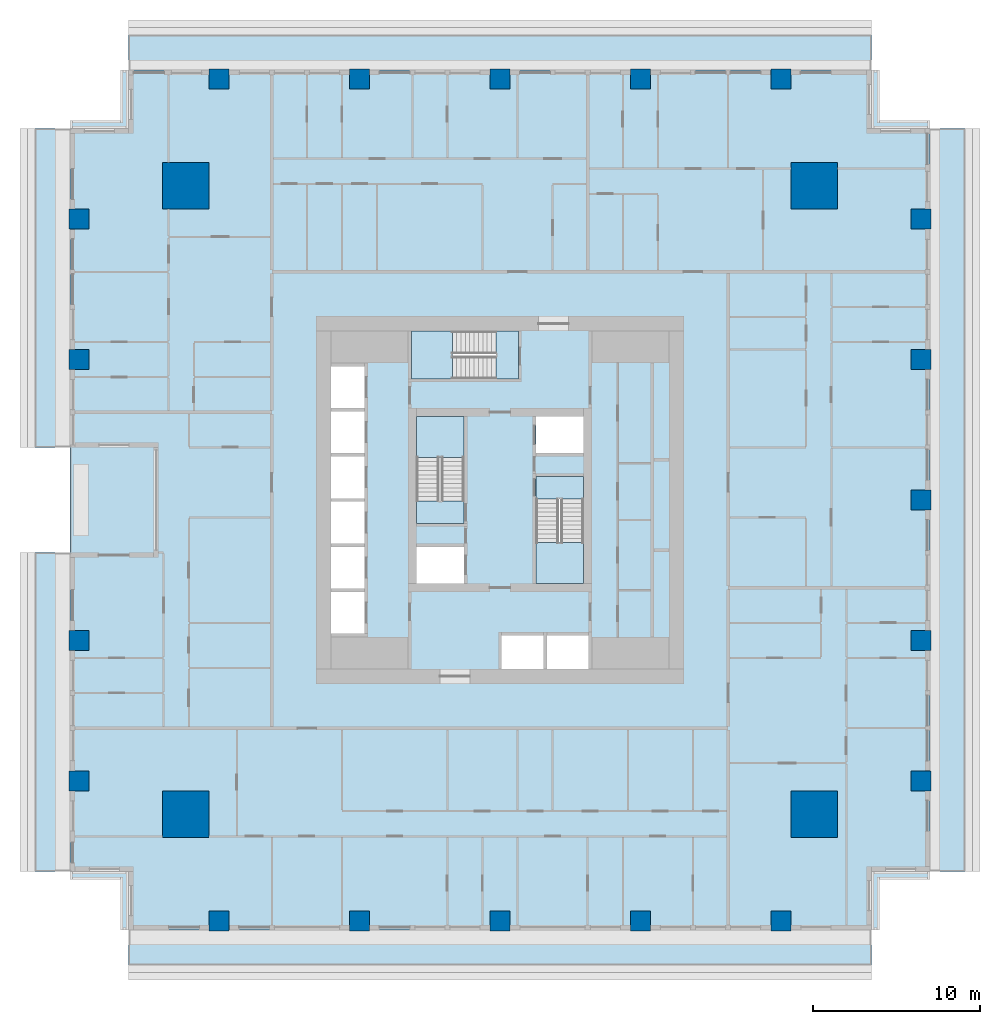
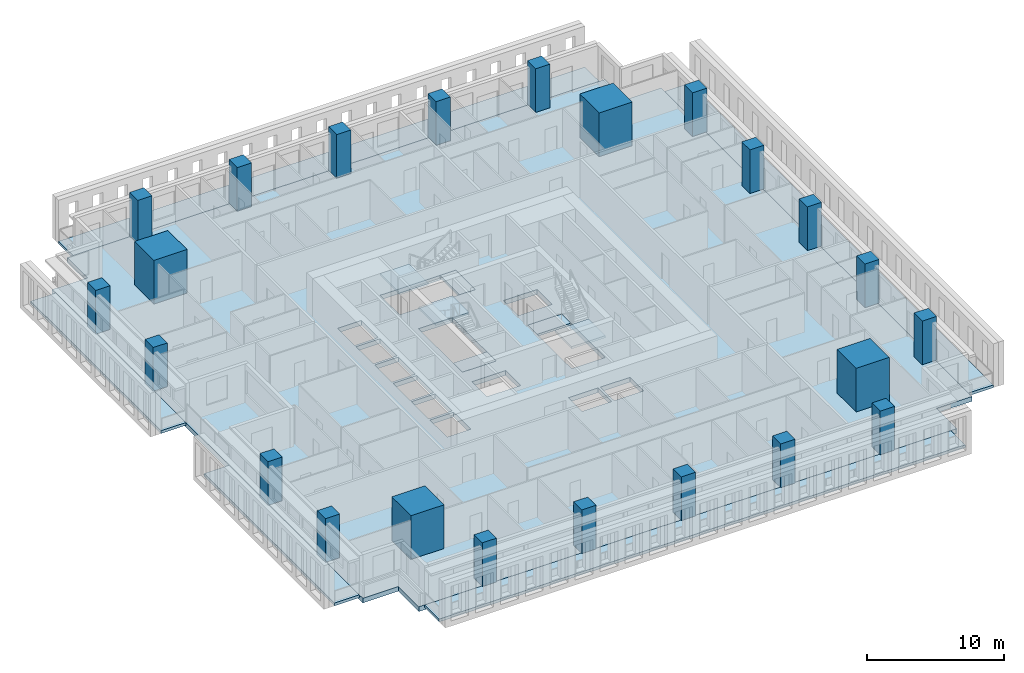
# One storey, part 1 of 16: 23 columns, 12 slabs, 3 elements without a shape of their own.
"""IFC4 building model written with IfcOpenShell, lengths in metres."""

from ifc_helpers import new_model, si_unit, direction, frame, origin, origin_2d, place, context, subcontext, project, spatial, polyline, rectangle, outline, extrude, material, layer, layer_set, material_profile, profile_set, type_object, element, aggregate, save


model = new_model("IFC4")

# Units and contexts
model_context = context("Model", 3, precision=1e-05, world=origin(), true_north=direction((0.0, 1.0)))
body_context = subcontext(model_context, "Body", "Model", "MODEL_VIEW")
ifc_project = project(units=[si_unit("LENGTHUNIT", "METRE"), si_unit("AREAUNIT", "SQUARE_METRE"), si_unit("VOLUMEUNIT", "CUBIC_METRE"), si_unit("PLANEANGLEUNIT", "RADIAN"), si_unit("MASSUNIT", "GRAM", prefix="KILO")], contexts=[model_context])

# Site, building, storey
site_placement = place(None, origin())
site = spatial("IfcSite", under=ifc_project, at=site_placement, CompositionType="ELEMENT")
building_placement = place(site_placement, origin())
building = spatial("IfcBuilding", under=site, at=building_placement, Name="Khepri Terraces", CompositionType="ELEMENT")
storey_placement = place(building_placement, frame((0.0, 0.0, 79.199951171875)))
storey = spatial("IfcBuildingStorey", under=building, at=storey_placement, Name="L18", CompositionType="ELEMENT", Elevation=79.199951171875)

# Columns
ifc_material_1 = material(Name="Concrete C70/85", Category="concrete")
ifc_material_profile_1 = material_profile(ifc_material_1, rectangle(XDim=2.800048828125, YDim=2.800048828125, at=origin_2d()), Name="Concrete C70/85", Category="concrete")
ifc_profile_set_1 = profile_set([ifc_material_profile_1], Name="Concrete C70/85")
column_type_1 = type_object("IfcColumnType", Name="Mega column RC 2800x2800 C70/85", PredefinedType="COLUMN", material=ifc_profile_set_1)
for number, where, z_axis, x_axis, name in (
    (1, (18.800048828125, 18.800048828125, 0.0), (0.0, 0.0, 1.0), (1.0, 0.0, 0.0), "Mega column MEN L18"),
    (2, (18.800048828125, -18.800048828125, 0.0), (0.0, 0.0, 1.0), (1.0, 0.0, 0.0), "Mega column MES L18"),
    (3, (-18.800048828125, 18.800048828125, 0.0), (0.0, 0.0, 1.0), (1.0, 0.0, 0.0), "Mega column MWN L18"),
    (4, (-18.800048828125, -18.800048828125, 0.0), (0.0, 0.0, 1.0), (1.0, 0.0, 0.0), "Mega column MWS L18"),
):
    element("IfcColumn", number, at=place(storey_placement, frame(where, z_axis=z_axis, x_axis=x_axis)), inside=storey, type_object=column_type_1, Name=name, PredefinedType="COLUMN", context=body_context, shape_type="SweptSolid", body=[
        extrude(rectangle(XDim=2.800048828125, YDim=2.800048828125, at=origin_2d()), origin(), (0.0, 0.0, 1.0), 3.900146484375),
    ])
ifc_material_profile_2 = material_profile(ifc_material_1, rectangle(XDim=1.199951171875, YDim=1.199951171875, at=origin_2d()), Name="Concrete C70/85", Category="concrete")
ifc_profile_set_2 = profile_set([ifc_material_profile_2], Name="Concrete C70/85")
column_type_2 = type_object("IfcColumnType", Name="Tower column RC 1200x1200 C70/85", PredefinedType="COLUMN", material=ifc_profile_set_2)
for number, where, z_axis, x_axis, name in (
    (5, (25.199951171875, 0.0, 0.0), (0.0, 0.0, 1.0), (1.0, 0.0, 0.0), "Perimeter column PE+000a L18"),
    (6, (25.199951171875, 8.39990234375, 0.0), (0.0, 0.0, 1.0), (1.0, 0.0, 0.0), "Perimeter column PE+084a L18"),
    (7, (25.199951171875, 16.800048828125, 0.0), (0.0, 0.0, 1.0), (1.0, 0.0, 0.0), "Perimeter column PE+168a L18"),
    (8, (25.199951171875, -8.39990234375, 0.0), (0.0, 0.0, 1.0), (1.0, 0.0, 0.0), "Perimeter column PE-084a L18"),
    (9, (25.199951171875, -16.800048828125, 0.0), (0.0, 0.0, 1.0), (1.0, 0.0, 0.0), "Perimeter column PE-168a L18"),
    (10, (0.0, 25.199951171875, 0.0), (0.0, 0.0, 1.0), (1.0, 0.0, 0.0), "Perimeter column PN+000a L18"),
    (11, (-8.39990234375, 25.199951171875, 0.0), (0.0, 0.0, 1.0), (1.0, 0.0, 0.0), "Perimeter column PN+084a L18"),
    (12, (-16.800048828125, 25.199951171875, 0.0), (0.0, 0.0, 1.0), (1.0, 0.0, 0.0), "Perimeter column PN+168a L18"),
    (13, (8.39990234375, 25.199951171875, 0.0), (0.0, 0.0, 1.0), (1.0, 0.0, 0.0), "Perimeter column PN-084a L18"),
    (14, (16.800048828125, 25.199951171875, 0.0), (0.0, 0.0, 1.0), (1.0, 0.0, 0.0), "Perimeter column PN-168a L18"),
):
    element("IfcColumn", number, at=place(storey_placement, frame(where, z_axis=z_axis, x_axis=x_axis)), inside=storey, type_object=column_type_2, Name=name, PredefinedType="COLUMN", context=body_context, shape_type="SweptSolid", body=[
        extrude(rectangle(XDim=1.199951171875, YDim=1.199951171875, at=origin_2d()), origin(), (0.0, 0.0, 1.0), 3.900146484375),
    ])
for number, where, z_axis, x_axis, name in (
    (15, (0.0, -25.199951171875, -0.419921875), (0.0, 0.0, 1.0), (1.0, 0.0, 0.0), "Perimeter column PS+000b L18"),
    (16, (8.39990234375, -25.199951171875, -0.419921875), (0.0, 0.0, 1.0), (1.0, 0.0, 0.0), "Perimeter column PS+084b L18"),
):
    element("IfcColumn", number, at=place(storey_placement, frame(where, z_axis=z_axis, x_axis=x_axis)), inside=storey, type_object=column_type_2, Name=name, PredefinedType="COLUMN", context=body_context, shape_type="SweptSolid", body=[
        extrude(rectangle(XDim=1.199951171875, YDim=1.199951171875, at=origin_2d()), origin(), (0.0, 0.0, 1.0), 4.320068359375),
    ])
column_1_placement = place(storey_placement, frame((16.800048828125, -25.199951171875, 0.0), z_axis=(0.0, 0.0, 1.0), x_axis=(1.0, 0.0, 0.0)))
element("IfcColumn", 17, at=column_1_placement, inside=storey, type_object=column_type_2, Name="Perimeter column PS+168a L18", PredefinedType="COLUMN", context=body_context, shape_type="SweptSolid", body=[
    extrude(rectangle(XDim=1.199951171875, YDim=1.199951171875, at=origin_2d()), origin(), (0.0, 0.0, 1.0), 3.900146484375),
])
column_2_placement = place(storey_placement, frame((-8.39990234375, -25.199951171875, -0.419921875), z_axis=(0.0, 0.0, 1.0), x_axis=(1.0, 0.0, 0.0)))
element("IfcColumn", 18, at=column_2_placement, inside=storey, type_object=column_type_2, Name="Perimeter column PS-084b L18", PredefinedType="COLUMN", context=body_context, shape_type="SweptSolid", body=[
    extrude(rectangle(XDim=1.199951171875, YDim=1.199951171875, at=origin_2d()), origin(), (0.0, 0.0, 1.0), 4.320068359375),
])
for number, where, z_axis, x_axis, name in (
    (19, (-16.800048828125, -25.199951171875, 0.0), (0.0, 0.0, 1.0), (1.0, 0.0, 0.0), "Perimeter column PS-168a L18"),
    (20, (-25.199951171875, -8.39990234375, 0.0), (0.0, 0.0, 1.0), (1.0, 0.0, 0.0), "Perimeter column PW+084a L18"),
    (21, (-25.199951171875, -16.800048828125, 0.0), (0.0, 0.0, 1.0), (1.0, 0.0, 0.0), "Perimeter column PW+168a L18"),
    (22, (-25.199951171875, 8.39990234375, 0.0), (0.0, 0.0, 1.0), (1.0, 0.0, 0.0), "Perimeter column PW-084a L18"),
    (23, (-25.199951171875, 16.800048828125, 0.0), (0.0, 0.0, 1.0), (1.0, 0.0, 0.0), "Perimeter column PW-168a L18"),
):
    element("IfcColumn", number, at=place(storey_placement, frame(where, z_axis=z_axis, x_axis=x_axis)), inside=storey, type_object=column_type_2, Name=name, PredefinedType="COLUMN", context=body_context, shape_type="SweptSolid", body=[
        extrude(rectangle(XDim=1.199951171875, YDim=1.199951171875, at=origin_2d()), origin(), (0.0, 0.0, 1.0), 3.900146484375),
    ])

# Slabs
ifc_material_2 = material(Name="Concrete C40/50", Category="concrete")
ifc_layer_1 = layer(ifc_material_2, 0.419921875, Name="Concrete C40/50", Category="concrete")
ifc_layer_set_1 = layer_set([ifc_layer_1], Name="Concrete C40/50")
slab_type_1 = type_object("IfcSlabType", Name="Flat plate 420", PredefinedType="FLOOR", material=ifc_layer_set_1)
slab_1_placement = place(storey_placement, frame((0.0, 0.0, -0.419921875)))
element("IfcSlab", 24, at=slab_1_placement, inside=storey, type_object=slab_type_1, Name="Floor slab F01 L18", PredefinedType="FLOOR", context=body_context, shape_type="SweptSolid", body=[
    extrude(outline(polyline([(25.719970703125, -22.219970703125), (25.719970703125, -22.719970703125), (22.719970703125, -22.719970703125), (22.719970703125, -25.719970703125), (22.219970703125, -25.719970703125), (-22.219970703125, -25.719970703125), (-22.719970703125, -25.719970703125), (-22.719970703125, -22.719970703125), (-25.719970703125, -22.719970703125), (-25.719970703125, -22.219970703125), (-25.719970703125, -3.14990234375), (-25.719970703125, 3.14990234375), (-25.719970703125, 22.219970703125), (-25.719970703125, 22.719970703125), (-22.719970703125, 22.719970703125), (-22.719970703125, 25.719970703125), (-22.219970703125, 25.719970703125), (22.219970703125, 25.719970703125), (22.719970703125, 25.719970703125), (22.719970703125, 22.719970703125), (25.719970703125, 22.719970703125), (25.719970703125, 22.219970703125), (25.719970703125, -22.219970703125)]), holes=[polyline([(5.0, 5.0), (2.14990234375, 5.0), (2.14990234375, 2.800048828125), (5.0, 2.800048828125), (5.0, 5.0)]), polyline([(-2.14990234375, -5.0), (-2.14990234375, -2.800048828125), (-5.0, -2.800048828125), (-5.0, -5.0), (-2.14990234375, -5.0)]), polyline([(-10.10009765625, -8.0), (-8.10009765625, -8.0), (-8.10009765625, -5.5), (-10.10009765625, -5.5), (-10.10009765625, -8.0)]), polyline([(-10.10009765625, -2.800048828125), (-10.10009765625, -5.300048828125), (-8.10009765625, -5.300048828125), (-8.10009765625, -2.800048828125), (-10.10009765625, -2.800048828125)]), polyline([(-8.10009765625, -0.10009765625), (-10.10009765625, -0.10009765625), (-10.10009765625, -2.60009765625), (-8.10009765625, -2.60009765625), (-8.10009765625, -0.10009765625)]), polyline([(-8.10009765625, 0.10009765625), (-8.10009765625, 2.60009765625), (-10.10009765625, 2.60009765625), (-10.10009765625, 0.10009765625), (-8.10009765625, 0.10009765625)]), polyline([(-10.10009765625, 2.800048828125), (-8.10009765625, 2.800048828125), (-8.10009765625, 5.300048828125), (-10.10009765625, 5.300048828125), (-10.10009765625, 2.800048828125)]), polyline([(-10.10009765625, 8.0), (-10.10009765625, 5.5), (-8.10009765625, 5.5), (-8.10009765625, 8.0), (-10.10009765625, 8.0)]), polyline([(2.60009765625, -8.10009765625), (0.10009765625, -8.10009765625), (0.10009765625, -10.10009765625), (2.60009765625, -10.10009765625), (2.60009765625, -8.10009765625)]), polyline([(5.300048828125, -10.10009765625), (5.300048828125, -8.10009765625), (2.800048828125, -8.10009765625), (2.800048828125, -10.10009765625), (5.300048828125, -10.10009765625)]), polyline([(-5.0, -1.39990234375), (-2.14990234375, -1.39990234375), (-2.14990234375, 5.0), (-5.0, 5.0), (-5.0, -1.39990234375)]), polyline([(5.0, -5.0), (5.0, 1.39990234375), (2.14990234375, 1.39990234375), (2.14990234375, -5.0), (5.0, -5.0)]), polyline([(-5.300048828125, 10.10009765625), (-5.300048828125, 7.25), (1.10009765625, 7.25), (1.10009765625, 10.10009765625), (-5.300048828125, 10.10009765625)])]), origin(), (0.0, 0.0, 1.0), 0.419921875),
])
ifc_material_3 = material(Name="Precast concrete C50/60 warm stone", Category="masonry")
ifc_layer_2 = layer(ifc_material_3, 0.25, Name="Precast concrete C50/60 warm stone", Category="masonry")
ifc_layer_set_2 = layer_set([ifc_layer_2], Name="Precast concrete C50/60 warm stone")
slab_type_2 = type_object("IfcSlabType", Name="SLB-BALCONY-250", PredefinedType="FLOOR", material=ifc_layer_set_2)
slab_2_placement = place(storey_placement, frame((0.0, 0.0, -0.25)))
element("IfcSlab", 25, at=slab_2_placement, inside=storey, type_object=slab_type_2, Name="Balcony slab L18 S", PredefinedType="FLOOR", context=body_context, shape_type="SweptSolid", body=[
    extrude(outline(polyline([(-17.39990234375, -25.719970703125), (-22.219970703125, -25.719970703125), (-22.219970703125, -27.820068359375), (22.219970703125, -27.820068359375), (22.219970703125, -25.719970703125), (17.39990234375, -25.719970703125), (17.39990234375, -25.800048828125), (16.199951171875, -25.800048828125), (16.199951171875, -25.719970703125), (9.0, -25.719970703125), (9.0, -25.800048828125), (7.800048828125, -25.800048828125), (7.800048828125, -25.719970703125), (0.60009765625, -25.719970703125), (0.60009765625, -25.800048828125), (-0.60009765625, -25.800048828125), (-0.60009765625, -25.719970703125), (-7.800048828125, -25.719970703125), (-7.800048828125, -25.800048828125), (-9.0, -25.800048828125), (-9.0, -25.719970703125), (-16.199951171875, -25.719970703125), (-16.199951171875, -25.800048828125), (-17.39990234375, -25.800048828125), (-17.39990234375, -25.719970703125)])), origin(), (0.0, 0.0, 1.0), 0.25),
])
slab_3_placement = place(storey_placement, frame((0.0, 0.0, -0.25)))
element("IfcSlab", 26, at=slab_3_placement, inside=storey, type_object=slab_type_2, Name="Balcony slab L18 E", PredefinedType="FLOOR", context=body_context, shape_type="SweptSolid", body=[
    extrude(outline(polyline([(25.719970703125, -17.39990234375), (25.719970703125, -22.219970703125), (27.820068359375, -22.219970703125), (27.820068359375, 22.219970703125), (25.719970703125, 22.219970703125), (25.719970703125, 17.39990234375), (25.800048828125, 17.39990234375), (25.800048828125, 16.199951171875), (25.719970703125, 16.199951171875), (25.719970703125, 9.0), (25.800048828125, 9.0), (25.800048828125, 7.800048828125), (25.719970703125, 7.800048828125), (25.719970703125, 0.60009765625), (25.800048828125, 0.60009765625), (25.800048828125, -0.60009765625), (25.719970703125, -0.60009765625), (25.719970703125, -7.800048828125), (25.800048828125, -7.800048828125), (25.800048828125, -9.0), (25.719970703125, -9.0), (25.719970703125, -16.199951171875), (25.800048828125, -16.199951171875), (25.800048828125, -17.39990234375), (25.719970703125, -17.39990234375)])), origin(), (0.0, 0.0, 1.0), 0.25),
])
slab_4_placement = place(storey_placement, frame((0.0, 0.0, -0.25)))
element("IfcSlab", 27, at=slab_4_placement, inside=storey, type_object=slab_type_2, Name="Balcony slab L18 N", PredefinedType="FLOOR", context=body_context, shape_type="SweptSolid", body=[
    extrude(outline(polyline([(17.39990234375, 25.719970703125), (22.219970703125, 25.719970703125), (22.219970703125, 27.820068359375), (-22.219970703125, 27.820068359375), (-22.219970703125, 25.719970703125), (-17.39990234375, 25.719970703125), (-17.39990234375, 25.800048828125), (-16.199951171875, 25.800048828125), (-16.199951171875, 25.719970703125), (-9.0, 25.719970703125), (-9.0, 25.800048828125), (-7.800048828125, 25.800048828125), (-7.800048828125, 25.719970703125), (-0.60009765625, 25.719970703125), (-0.60009765625, 25.800048828125), (0.60009765625, 25.800048828125), (0.60009765625, 25.719970703125), (7.800048828125, 25.719970703125), (7.800048828125, 25.800048828125), (9.0, 25.800048828125), (9.0, 25.719970703125), (16.199951171875, 25.719970703125), (16.199951171875, 25.800048828125), (17.39990234375, 25.800048828125), (17.39990234375, 25.719970703125)])), origin(), (0.0, 0.0, 1.0), 0.25),
])
slab_5_placement = place(storey_placement, frame((0.0, 0.0, -0.25)))
element("IfcSlab", 28, at=slab_5_placement, inside=storey, type_object=slab_type_2, Name="Balcony slab L18 W", PredefinedType="FLOOR", context=body_context, shape_type="SweptSolid", body=[
    extrude(outline(polyline([(-25.719970703125, 17.39990234375), (-25.719970703125, 22.219970703125), (-27.820068359375, 22.219970703125), (-27.820068359375, 3.14990234375), (-25.719970703125, 3.14990234375), (-25.719970703125, 7.800048828125), (-25.800048828125, 7.800048828125), (-25.800048828125, 9.0), (-25.719970703125, 9.0), (-25.719970703125, 16.199951171875), (-25.800048828125, 16.199951171875), (-25.800048828125, 17.39990234375), (-25.719970703125, 17.39990234375)])), origin(), (0.0, 0.0, 1.0), 0.25),
])
slab_6_placement = place(storey_placement, frame((0.0, 0.0, -0.25)))
element("IfcSlab", 29, at=slab_6_placement, inside=storey, type_object=slab_type_2, Name="Balcony slab L18 W", PredefinedType="FLOOR", context=body_context, shape_type="SweptSolid", body=[
    extrude(outline(polyline([(-25.719970703125, -7.800048828125), (-25.719970703125, -3.14990234375), (-27.820068359375, -3.14990234375), (-27.820068359375, -22.219970703125), (-25.719970703125, -22.219970703125), (-25.719970703125, -17.39990234375), (-25.800048828125, -17.39990234375), (-25.800048828125, -16.199951171875), (-25.719970703125, -16.199951171875), (-25.719970703125, -9.0), (-25.800048828125, -9.0), (-25.800048828125, -7.800048828125), (-25.719970703125, -7.800048828125)])), origin(), (0.0, 0.0, 1.0), 0.25),
])

# Stair, slabs
stair_type = type_object("IfcStairType", Name="STAIR-RC-22R", PredefinedType="HALF_TURN_STAIR", material=ifc_material_2)
stair_1_placement = place(storey_placement, origin())
stair_1 = element("IfcStair", 30, at=stair_1_placement, inside=storey, type_object=stair_type, Name="L18 Exit Stair ST-1", PredefinedType="HALF_TURN_STAIR")
ifc_layer_3 = layer(ifc_material_2, 0.199951171875, Name="Concrete C40/50", Category="concrete")
ifc_layer_set_3 = layer_set([ifc_layer_3], Name="Concrete C40/50")
slab_type_3 = type_object("IfcSlabType", Name="SLB-CORE-LANDING", PredefinedType="LANDING", material=ifc_layer_set_3)
slab_7_placement = place(storey_placement, frame((0.0, 0.0, -0.199951171875)))
slab_7 = element("IfcSlab", 31, at=slab_7_placement, type_object=slab_type_3, Name="ST-1 landing 1", PredefinedType="LANDING", context=body_context, shape_type="SweptSolid", body=[
    extrude(outline(polyline([(-2.14990234375, -1.39990234375), (-2.14990234375, -0.050048828125), (-5.0, -0.050048828125), (-5.0, -1.39990234375), (-2.14990234375, -1.39990234375)])), origin(), (0.0, 0.0, 1.0), 0.199951171875),
])
slab_8_placement = place(storey_placement, frame((0.0, 0.0, 1.75)))
slab_8 = element("IfcSlab", 32, at=slab_8_placement, type_object=slab_type_3, Name="ST-1 landing 2", PredefinedType="LANDING", context=body_context, shape_type="SweptSolid", body=[
    extrude(outline(polyline([(-2.14990234375, 2.550048828125), (-2.14990234375, 5.0), (-5.0, 5.0), (-5.0, 2.550048828125), (-2.14990234375, 2.550048828125)])), origin(), (0.0, 0.0, 1.0), 0.199951171875),
])
aggregate(stair_1, [slab_7, slab_8])

stair_2_placement = place(storey_placement, origin())
stair_2 = element("IfcStair", 33, at=stair_2_placement, inside=storey, type_object=stair_type, Name="L18 Exit Stair ST-2", PredefinedType="HALF_TURN_STAIR")
slab_9_placement = place(storey_placement, frame((0.0, 0.0, -0.199951171875)))
slab_9 = element("IfcSlab", 34, at=slab_9_placement, type_object=slab_type_3, Name="ST-2 landing 1", PredefinedType="LANDING", context=body_context, shape_type="SweptSolid", body=[
    extrude(outline(polyline([(2.14990234375, 1.39990234375), (2.14990234375, 0.050048828125), (5.0, 0.050048828125), (5.0, 1.39990234375), (2.14990234375, 1.39990234375)])), origin(), (0.0, 0.0, 1.0), 0.199951171875),
])
slab_10_placement = place(storey_placement, frame((0.0, 0.0, 1.75)))
slab_10 = element("IfcSlab", 35, at=slab_10_placement, type_object=slab_type_3, Name="ST-2 landing 2", PredefinedType="LANDING", context=body_context, shape_type="SweptSolid", body=[
    extrude(outline(polyline([(2.14990234375, -2.550048828125), (2.14990234375, -5.0), (5.0, -5.0), (5.0, -2.550048828125), (2.14990234375, -2.550048828125)])), origin(), (0.0, 0.0, 1.0), 0.199951171875),
])
aggregate(stair_2, [slab_9, slab_10])

stair_3_placement = place(storey_placement, origin())
stair_3 = element("IfcStair", 36, at=stair_3_placement, inside=storey, type_object=stair_type, Name="L18 Exit Stair ST-3", PredefinedType="HALF_TURN_STAIR")
slab_11_placement = place(storey_placement, frame((0.0, 0.0, -0.199951171875)))
slab_11 = element("IfcSlab", 37, at=slab_11_placement, type_object=slab_type_3, Name="ST-3 landing 1", PredefinedType="LANDING", context=body_context, shape_type="SweptSolid", body=[
    extrude(outline(polyline([(1.10009765625, 10.10009765625), (-0.25, 10.10009765625), (-0.25, 7.25), (1.10009765625, 7.25), (1.10009765625, 10.10009765625)])), origin(), (0.0, 0.0, 1.0), 0.199951171875),
])
slab_12_placement = place(storey_placement, frame((0.0, 0.0, 1.75)))
slab_12 = element("IfcSlab", 38, at=slab_12_placement, type_object=slab_type_3, Name="ST-3 landing 2", PredefinedType="LANDING", context=body_context, shape_type="SweptSolid", body=[
    extrude(outline(polyline([(-2.85009765625, 10.10009765625), (-5.300048828125, 10.10009765625), (-5.300048828125, 7.25), (-2.85009765625, 7.25), (-2.85009765625, 10.10009765625)])), origin(), (0.0, 0.0, 1.0), 0.199951171875),
])
aggregate(stair_3, [slab_11, slab_12])

save(model, "model.ifc")
